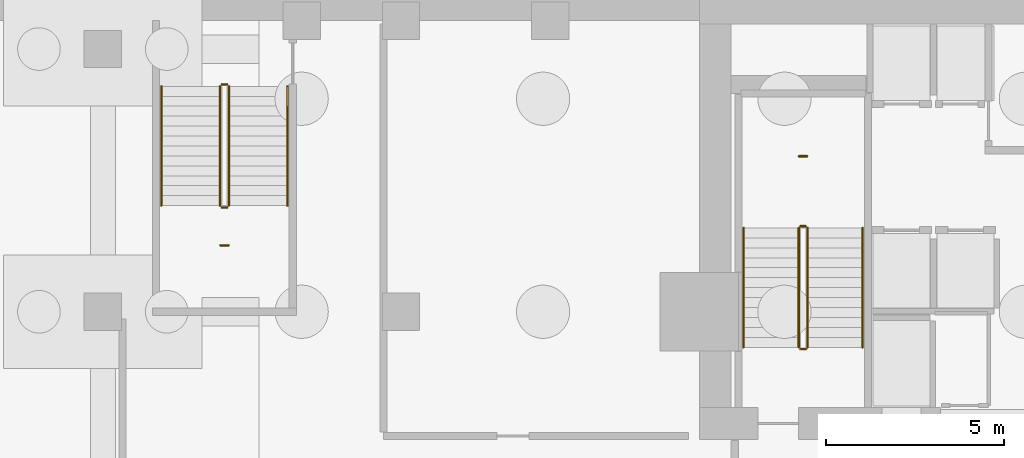
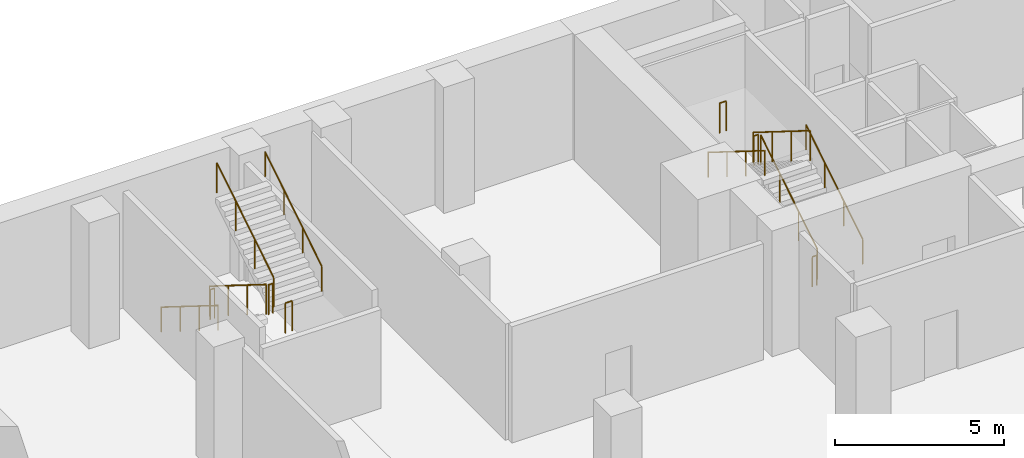
# One storey, part 6 of 9: 14 railings.
"""IFC4 building model written with IfcOpenShell, lengths in metres."""

from ifc_helpers import new_model, si_unit, direction, frame, origin, origin_2d, place, context, subcontext, project, spatial, circle, extrude, material, type_object, element, save


model = new_model("IFC4")

# Units and contexts
model_context = context("Model", 3, precision=1e-05, world=origin(), true_north=direction((0.0, 1.0)))
body_context = subcontext(model_context, "Body", "Model", "MODEL_VIEW")
ifc_project = project(units=[si_unit("LENGTHUNIT", "METRE"), si_unit("AREAUNIT", "SQUARE_METRE"), si_unit("VOLUMEUNIT", "CUBIC_METRE"), si_unit("PLANEANGLEUNIT", "RADIAN"), si_unit("MASSUNIT", "GRAM", prefix="KILO")], contexts=[model_context])

# Site, building, storey
site_placement = place(None, origin())
site = spatial("IfcSite", under=ifc_project, at=site_placement, CompositionType="ELEMENT")
building_placement = place(site_placement, origin())
building = spatial("IfcBuilding", under=site, at=building_placement, Name="Maruvema Waterfront Hotel and Observation Tower", CompositionType="ELEMENT")
storey_placement = place(building_placement, frame((0.0, 0.0, -9.800048828125)))
storey = spatial("IfcBuildingStorey", under=building, at=storey_placement, Name="B02", CompositionType="ELEMENT", Elevation=-9.800048828125)

# Railings
ifc_material_1 = material(Name="Brushed stainless steel Grade 316", Category="steel")
railing_type_1 = type_object("IfcRailingType", Name="Ramp Continuous Wall Handrail 920 mm", PredefinedType="HANDRAIL", material=ifc_material_1)
railing_1_placement = place(storey_placement, frame((29.800048828125, 44.0, 0.175048828125)))
element("IfcRailing", 1, at=railing_1_placement, inside=storey, type_object=railing_type_1, Name="B02 ST-01 stair handrail 1", PredefinedType="HANDRAIL", context=body_context, shape_type="SweptSolid", body=[
    extrude(circle(Radius=0.02392578125, at=origin_2d()), frame((0.0, 0.0, 0.89599609375), z_axis=(0.0, 0.847994842521, 0.530004478338), x_axis=(-1.0, 0.0, 0.0)), (0.0, 0.0, 1.0), 3.96240234375),
    extrude(circle(Radius=0.02099609375, at=origin_2d()), origin(), (0.0, 0.0, 1.0), 0.871826171875),
    extrude(circle(Radius=0.02099609375, at=origin_2d()), frame((0.0, 1.1201171875, 0.699951171875)), (0.0, 0.0, 1.0), 0.871826171875),
    extrude(circle(Radius=0.02099609375, at=origin_2d()), frame((0.0, 2.239990234375, 1.400146484375)), (0.0, 0.0, 1.0), 0.871826171875),
    extrude(circle(Radius=0.02099609375, at=origin_2d()), frame((0.0, 3.360107421875, 2.10009765625)), (0.0, 0.0, 1.0), 0.871826171875),
])
for number, where, name in (
    (2, (26.449951171875, 47.360107421875, 2.449951171875), "B02 ST-01 stair handrail 2"),
    (3, (10.050048828125, 51.35009765625, 0.175048828125), "B02 ST-04 stair handrail 1"),
):
    element("IfcRailing", number, at=place(storey_placement, frame(where)), inside=storey, type_object=railing_type_1, Name=name, PredefinedType="HANDRAIL", context=body_context, shape_type="SweptSolid", body=[
        extrude(circle(Radius=0.02392578125, at=origin_2d()), frame((0.0, 0.0, 0.89599609375), z_axis=(0.0, -0.847994842521, 0.530004478338), x_axis=(1.0, 0.0, 0.0)), (0.0, 0.0, 1.0), 3.96240234375),
        extrude(circle(Radius=0.02099609375, at=origin_2d()), origin(), (0.0, 0.0, 1.0), 0.871826171875),
        extrude(circle(Radius=0.02099609375, at=origin_2d()), frame((0.0, -1.1201171875, 0.699951171875)), (0.0, 0.0, 1.0), 0.871826171875),
        extrude(circle(Radius=0.02099609375, at=origin_2d()), frame((0.0, -2.239990234375, 1.400146484375)), (0.0, 0.0, 1.0), 0.871826171875),
        extrude(circle(Radius=0.02099609375, at=origin_2d()), frame((0.0, -3.360107421875, 2.10009765625)), (0.0, 0.0, 1.0), 0.871826171875),
    ])
railing_2_placement = place(storey_placement, frame((13.60009765625, 47.989990234375, 2.449951171875)))
element("IfcRailing", 4, at=railing_2_placement, inside=storey, type_object=railing_type_1, Name="B02 ST-04 stair handrail 2", PredefinedType="HANDRAIL", context=body_context, shape_type="SweptSolid", body=[
    extrude(circle(Radius=0.02392578125, at=origin_2d()), frame((0.0, 0.0, 0.89599609375), z_axis=(0.0, 0.847994842521, 0.530004478338), x_axis=(-1.0, 0.0, 0.0)), (0.0, 0.0, 1.0), 3.96240234375),
    extrude(circle(Radius=0.02099609375, at=origin_2d()), origin(), (0.0, 0.0, 1.0), 0.871826171875),
    extrude(circle(Radius=0.02099609375, at=origin_2d()), frame((0.0, 1.1201171875, 0.699951171875)), (0.0, 0.0, 1.0), 0.871826171875),
    extrude(circle(Radius=0.02099609375, at=origin_2d()), frame((0.0, 2.239990234375, 1.400146484375)), (0.0, 0.0, 1.0), 0.871826171875),
    extrude(circle(Radius=0.02099609375, at=origin_2d()), frame((0.0, 3.360107421875, 2.10009765625)), (0.0, 0.0, 1.0), 0.871826171875),
])
ifc_material_2 = material(Name="Brushed stainless steel Grade 316", Category="steel")
railing_type_2 = type_object("IfcRailingType", Name="Ramp and Terrace Guard Balustrade 1100 mm", PredefinedType="BALUSTRADE", material=ifc_material_2)
railing_3_placement = place(storey_placement, frame((28.25, 44.0, 0.175048828125)))
element("IfcRailing", 5, at=railing_3_placement, inside=storey, type_object=railing_type_2, Name="B02 ST-01 stair guard 1", PredefinedType="BALUSTRADE", context=body_context, shape_type="SweptSolid", body=[
    extrude(circle(Radius=0.02392578125, at=origin_2d()), frame((0.0, 0.0, 1.076171875), z_axis=(0.0, 0.847994842521, 0.530004478338), x_axis=(-1.0, 0.0, 0.0)), (0.0, 0.0, 1.0), 3.96240234375),
    extrude(circle(Radius=0.02099609375, at=origin_2d()), origin(), (0.0, 0.0, 1.0), 1.052001953125),
    extrude(circle(Radius=0.02099609375, at=origin_2d()), frame((0.0, 1.1201171875, 0.699951171875)), (0.0, 0.0, 1.0), 1.052001953125),
    extrude(circle(Radius=0.02099609375, at=origin_2d()), frame((0.0, 2.239990234375, 1.400146484375)), (0.0, 0.0, 1.0), 1.052001953125),
    extrude(circle(Radius=0.02099609375, at=origin_2d()), frame((0.0, 3.360107421875, 2.10009765625)), (0.0, 0.0, 1.0), 1.052001953125),
])
railing_4_placement = place(storey_placement, frame((28.199951171875, 47.409912109375, 2.275146484375)))
element("IfcRailing", 6, at=railing_4_placement, inside=storey, type_object=railing_type_2, Name="B02 ST-01 stair guard 2", PredefinedType="BALUSTRADE", context=body_context, shape_type="SweptSolid", body=[
    extrude(circle(Radius=0.02392578125, at=origin_2d()), frame((0.0, 0.0, 1.076171875), z_axis=(-1.0, 0.0, 0.0), x_axis=(0.0, -1.0, 0.0)), (0.0, 0.0, 1.0), 0.14990234375),
    extrude(circle(Radius=0.02099609375, at=origin_2d()), origin(), (0.0, 0.0, 1.0), 1.052001953125),
    extrude(circle(Radius=0.02099609375, at=origin_2d()), frame((-0.14990234375, 0.0, 0.0)), (0.0, 0.0, 1.0), 1.052001953125),
])
railing_5_placement = place(storey_placement, frame((28.0, 47.360107421875, 2.449951171875)))
element("IfcRailing", 7, at=railing_5_placement, inside=storey, type_object=railing_type_2, Name="B02 ST-01 stair guard 3", PredefinedType="BALUSTRADE", context=body_context, shape_type="SweptSolid", body=[
    extrude(circle(Radius=0.02392578125, at=origin_2d()), frame((0.0, 0.0, 1.076171875), z_axis=(0.0, -0.847994842521, 0.530004478338), x_axis=(1.0, 0.0, 0.0)), (0.0, 0.0, 1.0), 3.96240234375),
    extrude(circle(Radius=0.02099609375, at=origin_2d()), origin(), (0.0, 0.0, 1.0), 1.052001953125),
    extrude(circle(Radius=0.02099609375, at=origin_2d()), frame((0.0, -1.1201171875, 0.699951171875)), (0.0, 0.0, 1.0), 1.052001953125),
    extrude(circle(Radius=0.02099609375, at=origin_2d()), frame((0.0, -2.239990234375, 1.400146484375)), (0.0, 0.0, 1.0), 1.052001953125),
    extrude(circle(Radius=0.02099609375, at=origin_2d()), frame((0.0, -3.360107421875, 2.10009765625)), (0.0, 0.0, 1.0), 1.052001953125),
])
railing_6_placement = place(storey_placement, frame((28.199951171875, 43.949951171875, 0.0)))
element("IfcRailing", 8, at=railing_6_placement, inside=storey, type_object=railing_type_2, Name="B02 ST-01 stair guard 4", PredefinedType="BALUSTRADE", context=body_context, shape_type="SweptSolid", body=[
    extrude(circle(Radius=0.02392578125, at=origin_2d()), frame((0.0, 0.0, 1.076171875), z_axis=(-1.0, 0.0, 0.0), x_axis=(0.0, -1.0, 0.0)), (0.0, 0.0, 1.0), 0.14990234375),
    extrude(circle(Radius=0.02099609375, at=origin_2d()), origin(), (0.0, 0.0, 1.0), 1.052001953125),
    extrude(circle(Radius=0.02099609375, at=origin_2d()), frame((-0.14990234375, 0.0, 0.0)), (0.0, 0.0, 1.0), 1.052001953125),
])
railing_7_placement = place(storey_placement, frame((28.239990234375, 49.3798828125, 2.275146484375)))
element("IfcRailing", 9, at=railing_7_placement, inside=storey, type_object=railing_type_2, Name="B02 ST-01 Half-Landing Slot Guard", PredefinedType="BALUSTRADE", context=body_context, shape_type="SweptSolid", body=[
    extrude(circle(Radius=0.02392578125, at=origin_2d()), frame((0.0, 0.0, 1.076171875), z_axis=(-1.0, 0.0, 0.0), x_axis=(0.0, -1.0, 0.0)), (0.0, 0.0, 1.0), 0.22998046875),
    extrude(circle(Radius=0.02099609375, at=origin_2d()), origin(), (0.0, 0.0, 1.0), 1.052001953125),
    extrude(circle(Radius=0.02099609375, at=origin_2d()), frame((-0.22998046875, 0.0, 0.0)), (0.0, 0.0, 1.0), 1.052001953125),
])
railing_8_placement = place(storey_placement, frame((11.699951171875, 51.35009765625, 0.175048828125)))
element("IfcRailing", 10, at=railing_8_placement, inside=storey, type_object=railing_type_2, Name="B02 ST-04 stair guard 1", PredefinedType="BALUSTRADE", context=body_context, shape_type="SweptSolid", body=[
    extrude(circle(Radius=0.02392578125, at=origin_2d()), frame((0.0, 0.0, 1.076171875), z_axis=(0.0, -0.847994842521, 0.530004478338), x_axis=(1.0, 0.0, 0.0)), (0.0, 0.0, 1.0), 3.96240234375),
    extrude(circle(Radius=0.02099609375, at=origin_2d()), origin(), (0.0, 0.0, 1.0), 1.052001953125),
    extrude(circle(Radius=0.02099609375, at=origin_2d()), frame((0.0, -1.1201171875, 0.699951171875)), (0.0, 0.0, 1.0), 1.052001953125),
    extrude(circle(Radius=0.02099609375, at=origin_2d()), frame((0.0, -2.239990234375, 1.400146484375)), (0.0, 0.0, 1.0), 1.052001953125),
    extrude(circle(Radius=0.02099609375, at=origin_2d()), frame((0.0, -3.360107421875, 2.10009765625)), (0.0, 0.0, 1.0), 1.052001953125),
])
railing_9_placement = place(storey_placement, frame((11.75, 47.93994140625, 2.275146484375)))
element("IfcRailing", 11, at=railing_9_placement, inside=storey, type_object=railing_type_2, Name="B02 ST-04 stair guard 2", PredefinedType="BALUSTRADE", context=body_context, shape_type="SweptSolid", body=[
    extrude(circle(Radius=0.02392578125, at=origin_2d()), frame((0.0, 0.0, 1.076171875), z_axis=(1.0, 0.0, 0.0), x_axis=(0.0, 1.0, 0.0)), (0.0, 0.0, 1.0), 0.14990234375),
    extrude(circle(Radius=0.02099609375, at=origin_2d()), origin(), (0.0, 0.0, 1.0), 1.052001953125),
    extrude(circle(Radius=0.02099609375, at=origin_2d()), frame((0.14990234375, 0.0, 0.0)), (0.0, 0.0, 1.0), 1.052001953125),
])
railing_10_placement = place(storey_placement, frame((11.949951171875, 47.989990234375, 2.449951171875)))
element("IfcRailing", 12, at=railing_10_placement, inside=storey, type_object=railing_type_2, Name="B02 ST-04 stair guard 3", PredefinedType="BALUSTRADE", context=body_context, shape_type="SweptSolid", body=[
    extrude(circle(Radius=0.02392578125, at=origin_2d()), frame((0.0, 0.0, 1.076171875), z_axis=(0.0, 0.847994842521, 0.530004478338), x_axis=(-1.0, 0.0, 0.0)), (0.0, 0.0, 1.0), 3.96240234375),
    extrude(circle(Radius=0.02099609375, at=origin_2d()), origin(), (0.0, 0.0, 1.0), 1.052001953125),
    extrude(circle(Radius=0.02099609375, at=origin_2d()), frame((0.0, 1.1201171875, 0.699951171875)), (0.0, 0.0, 1.0), 1.052001953125),
    extrude(circle(Radius=0.02099609375, at=origin_2d()), frame((0.0, 2.239990234375, 1.400146484375)), (0.0, 0.0, 1.0), 1.052001953125),
    extrude(circle(Radius=0.02099609375, at=origin_2d()), frame((0.0, 3.360107421875, 2.10009765625)), (0.0, 0.0, 1.0), 1.052001953125),
])
railing_11_placement = place(storey_placement, frame((11.75, 51.39990234375, 0.0)))
element("IfcRailing", 13, at=railing_11_placement, inside=storey, type_object=railing_type_2, Name="B02 ST-04 stair guard 4", PredefinedType="BALUSTRADE", context=body_context, shape_type="SweptSolid", body=[
    extrude(circle(Radius=0.02392578125, at=origin_2d()), frame((0.0, 0.0, 1.076171875), z_axis=(1.0, 0.0, 0.0), x_axis=(0.0, 1.0, 0.0)), (0.0, 0.0, 1.0), 0.14990234375),
    extrude(circle(Radius=0.02099609375, at=origin_2d()), origin(), (0.0, 0.0, 1.0), 1.052001953125),
    extrude(circle(Radius=0.02099609375, at=origin_2d()), frame((0.14990234375, 0.0, 0.0)), (0.0, 0.0, 1.0), 1.052001953125),
])
railing_12_placement = place(storey_placement, frame((11.7099609375, 46.8701171875, 2.275146484375)))
element("IfcRailing", 14, at=railing_12_placement, inside=storey, type_object=railing_type_2, Name="B02 ST-04 Half-Landing Slot Guard", PredefinedType="BALUSTRADE", context=body_context, shape_type="SweptSolid", body=[
    extrude(circle(Radius=0.02392578125, at=origin_2d()), frame((0.0, 0.0, 1.076171875), z_axis=(1.0, 0.0, 0.0), x_axis=(0.0, 1.0, 0.0)), (0.0, 0.0, 1.0), 0.22998046875),
    extrude(circle(Radius=0.02099609375, at=origin_2d()), origin(), (0.0, 0.0, 1.0), 1.052001953125),
    extrude(circle(Radius=0.02099609375, at=origin_2d()), frame((0.22998046875, 0.0, 0.0)), (0.0, 0.0, 1.0), 1.052001953125),
])

save(model, "model.ifc")
